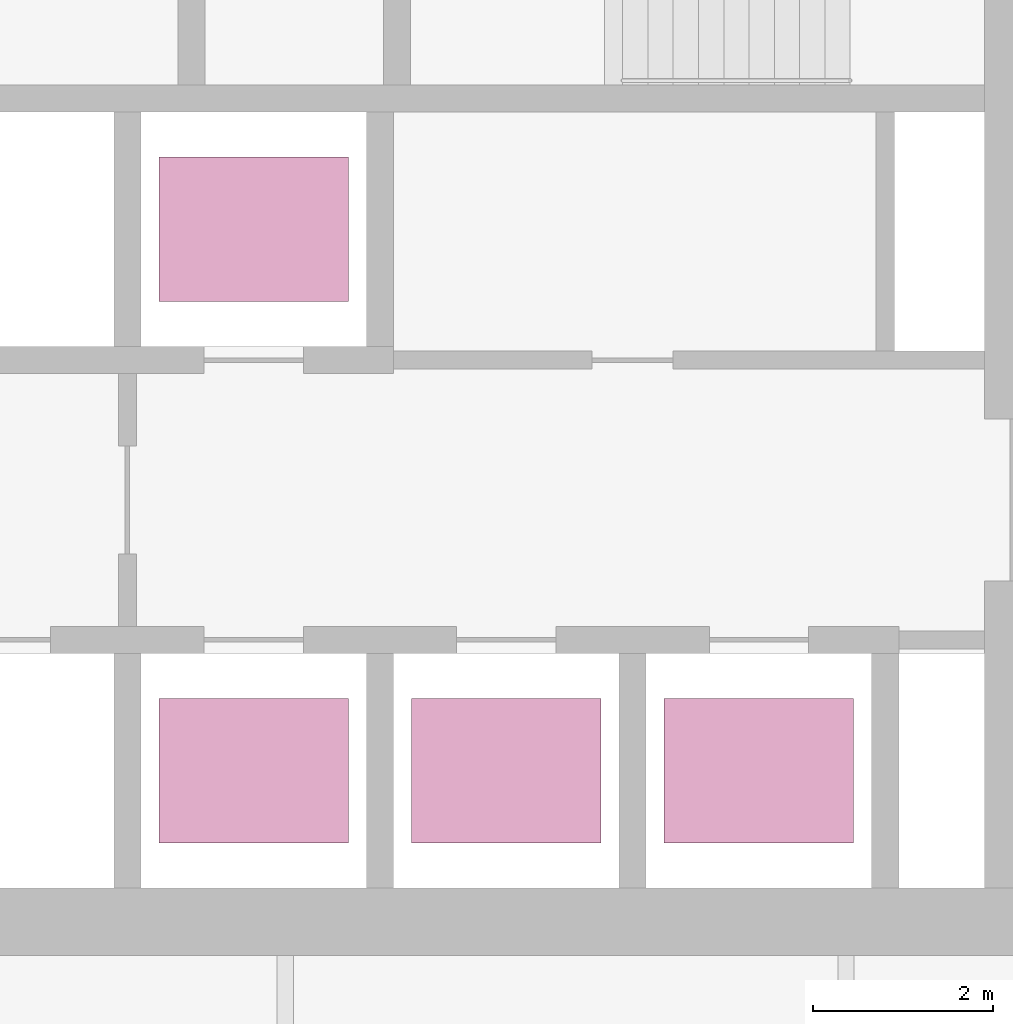
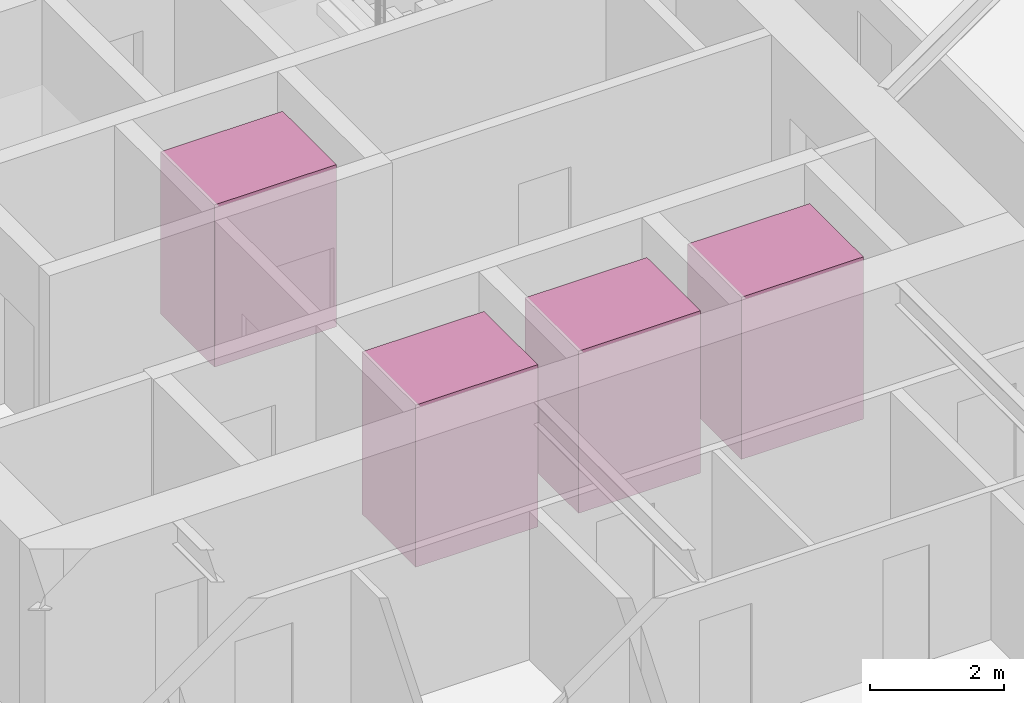
# One storey, part 21 of 22: 4 transport elements.
"""IFC4 building model written with IfcOpenShell, lengths in metres."""

from ifc_helpers import new_model, si_unit, direction, frame, origin, origin_2d, place, context, subcontext, project, spatial, rectangle, extrude, material, type_object, element, save


model = new_model("IFC4")

# Units and contexts
model_context = context("Model", 3, precision=1e-05, world=origin(), true_north=direction((0.0, 1.0)))
body_context = subcontext(model_context, "Body", "Model", "MODEL_VIEW")
ifc_project = project(units=[si_unit("LENGTHUNIT", "METRE"), si_unit("AREAUNIT", "SQUARE_METRE"), si_unit("VOLUMEUNIT", "CUBIC_METRE"), si_unit("PLANEANGLEUNIT", "RADIAN"), si_unit("MASSUNIT", "GRAM", prefix="KILO")], contexts=[model_context])

# Site, building, storey
site_placement = place(None, origin())
site = spatial("IfcSite", under=ifc_project, at=site_placement, CompositionType="ELEMENT")
building_placement = place(site_placement, origin())
building = spatial("IfcBuilding", under=site, at=building_placement, Name="Firuza Gate Tower and Library", CompositionType="ELEMENT")
storey_placement = place(building_placement, frame((0.0, 0.0, 295.10009765625)))
storey = spatial("IfcBuildingStorey", under=building, at=storey_placement, Name="L71", CompositionType="ELEMENT", Elevation=295.10009765625)

# Transport elements
ifc_material = material(Name="Stainless steel and glass", Category="steel")
transport_element_type = type_object("IfcTransportElementType", Name="High-rise lift car 2100x1600", PredefinedType="ELEVATOR", material=ifc_material)
for number, where, z_axis, x_axis, name in (
    (1, (74.64990234375, 70.300048828125, 0.0), (0.0, 0.0, 1.0), (1.0, 0.0, 0.0), "High-rise lift HR1"),
    (2, (77.449951171875, 70.300048828125, 0.0), (0.0, 0.0, 1.0), (1.0, 0.0, 0.0), "High-rise lift HR2"),
    (3, (80.25, 70.300048828125, 0.0), (0.0, 0.0, 1.0), (1.0, 0.0, 0.0), "High-rise lift HR3"),
    (4, (74.64990234375, 76.300048828125, 0.0), (0.0, 0.0, 1.0), (1.0, 0.0, 0.0), "High-rise lift HR4"),
):
    element("IfcTransportElement", number, at=place(storey_placement, frame(where, z_axis=z_axis, x_axis=x_axis)), inside=storey, type_object=transport_element_type, Name=name, PredefinedType="ELEVATOR", context=body_context, shape_type="SweptSolid", body=[
        extrude(rectangle(XDim=2.10009765625, YDim=1.60009765625, at=origin_2d()), origin(), (0.0, 0.0, 1.0), 2.949951171875),
    ])

save(model, "model.ifc")
